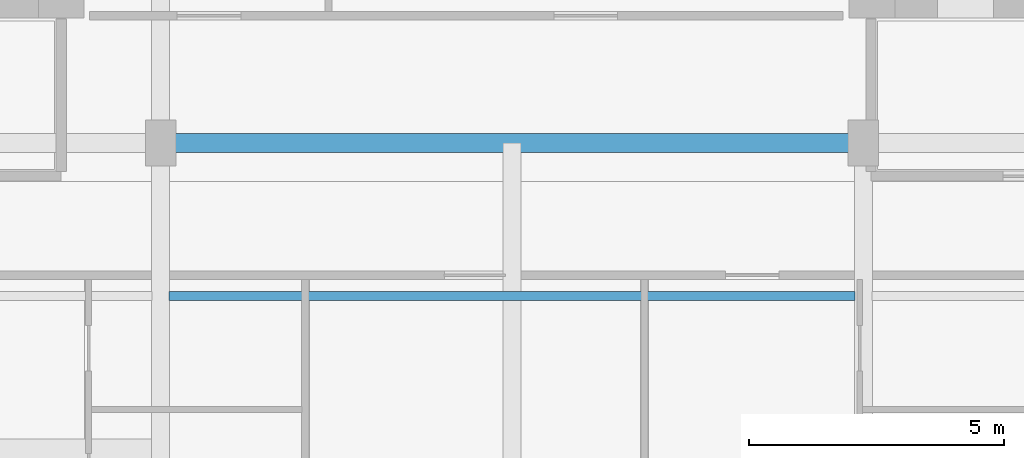
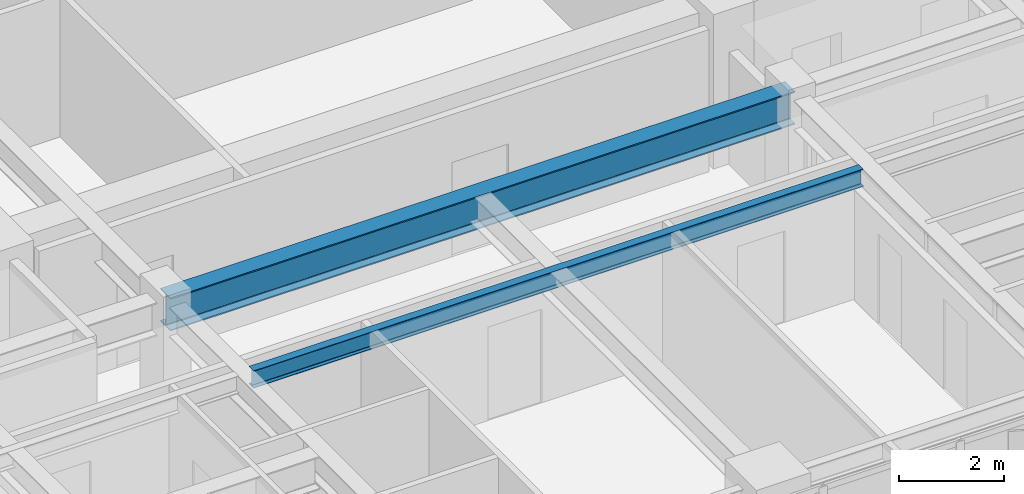
# One storey, part 4 of 23: 2 beams.
"""IFC4 building model written with IfcOpenShell, lengths in metres."""

from ifc_helpers import new_model, si_unit, direction, frame, origin, origin_2d, place, context, subcontext, project, spatial, i_section, extrude, source, transform, mapped, material, material_profile, profile_set, type_object, element, save


model = new_model("IFC4")

# Units and contexts
model_context = context("Model", 3, precision=1e-05, world=origin(), true_north=direction((0.0, 1.0)))
body_context = subcontext(model_context, "Body", "Model", "MODEL_VIEW")
ifc_project = project(units=[si_unit("LENGTHUNIT", "METRE"), si_unit("AREAUNIT", "SQUARE_METRE"), si_unit("VOLUMEUNIT", "CUBIC_METRE"), si_unit("PLANEANGLEUNIT", "RADIAN"), si_unit("MASSUNIT", "GRAM", prefix="KILO")], contexts=[model_context])

# Site, building, storey
site_placement = place(None, origin())
site = spatial("IfcSite", under=ifc_project, at=site_placement, CompositionType="ELEMENT")
building_placement = place(site_placement, origin())
building = spatial("IfcBuilding", under=site, at=building_placement, Name="Khoralis Quay Care Tower", CompositionType="ELEMENT")
storey_placement = place(building_placement, frame((0.0, 0.0, 36.89990234375)))
storey = spatial("IfcBuildingStorey", under=building, at=storey_placement, Name="L09", CompositionType="ELEMENT", Elevation=36.89990234375)

# Beams
ifc_material = material(Name="Steel S355", Category="steel")
ifc_material_profile_1 = material_profile(ifc_material, i_section(OverallWidth=0.381103515625, OverallDepth=0.77294921875, WebThickness=0.0166015625, FlangeThickness=0.027587890625, FilletRadius=0.02197265625, at=origin_2d()), Name="Steel S355")
ifc_profile_set_1 = profile_set([ifc_material_profile_1], Name="Steel S355")
beam_type_1 = type_object("IfcBeamType", Name="BM-W760X257", PredefinedType="BEAM", material=ifc_profile_set_1)
shared_shape_1 = source(origin(), body_context, "Body", "SweptSolid", [
    extrude(i_section(OverallWidth=0.381103515625, OverallDepth=0.77294921875, WebThickness=0.0166015625, FlangeThickness=0.027587890625, FilletRadius=0.02197265625, at=origin_2d()), origin(), (0.0, 0.0, 1.0), 13.7998046875),
])
beam_1_placement = place(storey_placement, frame((17.10009765625, 12.0, 2.93359375), z_axis=(1.0, 0.0, 0.0), x_axis=(0.0, 1.0, 0.0)))
element("IfcBeam", 1, at=beam_1_placement, inside=storey, type_object=beam_type_1, Name="BM-TGCC-L09-120", PredefinedType="BEAM", context=body_context, shape_type="MappedRepresentation", body=[
    mapped(shared_shape_1, transform((0.0, 0.0, 0.0), scale=1.0)),
])
ifc_material_profile_2 = material_profile(ifc_material, i_section(OverallWidth=0.177978515625, OverallDepth=0.406982421875, WebThickness=0.0078125, FlangeThickness=0.0126953125, FilletRadius=0.012939453125, at=origin_2d()), Name="Steel S355")
ifc_profile_set_2 = profile_set([ifc_material_profile_2], Name="Steel S355")
beam_type_2 = type_object("IfcBeamType", Name="BM-W410X60", PredefinedType="JOIST", material=ifc_profile_set_2)
shared_shape_2 = source(origin(), body_context, "Body", "SweptSolid", [
    extrude(i_section(OverallWidth=0.177978515625, OverallDepth=0.406982421875, WebThickness=0.0078125, FlangeThickness=0.0126953125, FilletRadius=0.012939453125, at=origin_2d()), origin(), (0.0, 0.0, 1.0), 13.46923828125),
])
beam_2_placement = place(storey_placement, frame((17.265380859375, 9.0, 3.11669921875), z_axis=(1.0, 0.0, 0.0), x_axis=(0.0, 1.0, 0.0)))
element("IfcBeam", 2, at=beam_2_placement, inside=storey, type_object=beam_type_2, Name="BM-TJS-L09-31", PredefinedType="JOIST", context=body_context, shape_type="MappedRepresentation", body=[
    mapped(shared_shape_2, transform((0.0, 0.0, 0.0), scale=1.0)),
])

save(model, "model.ifc")
